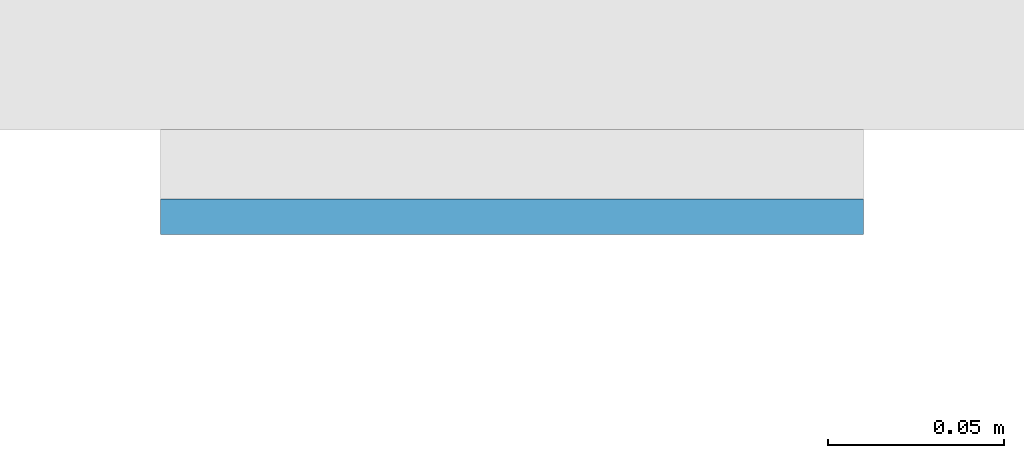
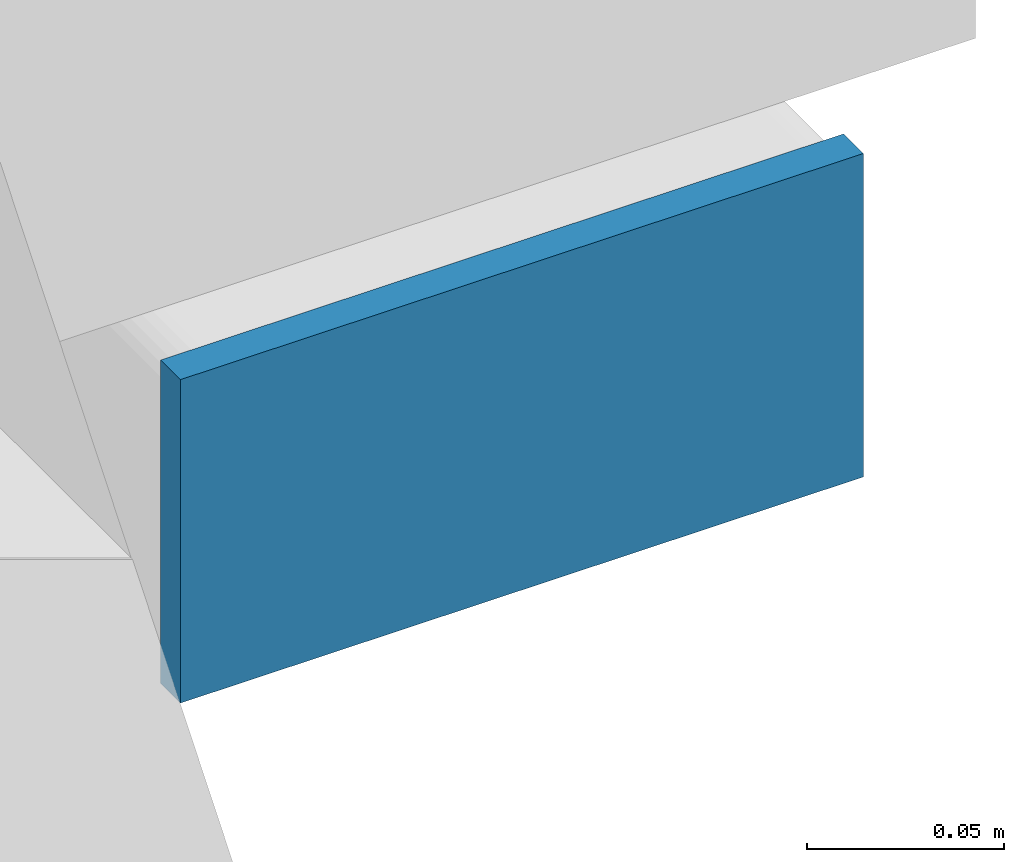
# One storey, part 10 of 20: 1 plate.
"""IFC4 building model written with IfcOpenShell, lengths in metres."""

from ifc_helpers import new_model, si_unit, direction, frame, origin, origin_2d, place, context, subcontext, project, spatial, rectangle, extrude, material, layer, layer_set, type_object, element, save


model = new_model("IFC4")

# Units and contexts
model_context = context("Model", 3, precision=1e-05, world=origin(), true_north=direction((0.0, 1.0)))
body_context = subcontext(model_context, "Body", "Model", "MODEL_VIEW")
ifc_project = project(units=[si_unit("LENGTHUNIT", "METRE"), si_unit("AREAUNIT", "SQUARE_METRE"), si_unit("VOLUMEUNIT", "CUBIC_METRE"), si_unit("PLANEANGLEUNIT", "RADIAN"), si_unit("MASSUNIT", "GRAM", prefix="KILO")], contexts=[model_context])

# Site, building, storey
site_placement = place(None, origin())
site = spatial("IfcSite", under=ifc_project, at=site_placement, CompositionType="ELEMENT")
building_placement = place(site_placement, origin())
building = spatial("IfcBuilding", under=site, at=building_placement, Name="Cleftline Residences", CompositionType="ELEMENT")
storey_placement = place(building_placement, frame((0.0, 0.0, 211.0)))
storey = spatial("IfcBuildingStorey", under=building, at=storey_placement, Name="L55", CompositionType="ELEMENT", Elevation=211.0)

# Plate
ifc_material = material(Name="Steel S355, hot-dip galvanised", Category="steel")
ifc_layer = layer(ifc_material, 0.010009765625)
ifc_layer_set = layer_set([ifc_layer], Name="BAGUETTE CARRIER END PLATE 200X100X10")
plate_type = type_object("IfcPlateType", Name="BAGUETTE CARRIER END PLATE 200X100X10", PredefinedType="USERDEFINED", material=ifc_layer_set)
plate_placement = place(storey_placement, frame((66.85009765625, 3.695068359375, -0.10009765625), z_axis=(0.0, 0.0, 1.0), x_axis=(1.0, 0.0, 0.0)))
element("IfcPlate", 1, at=plate_placement, inside=storey, type_object=plate_type, Name="Baguette carrier end plate", ObjectType="BAGUETTE CARRIER END PLATE", PredefinedType="USERDEFINED", context=body_context, shape_type="SweptSolid", body=[
    extrude(rectangle(XDim=0.199951171875, YDim=0.010009765625, at=origin_2d()), origin(), (0.0, 0.0, 1.0), 0.10009765625),
])

save(model, "model.ifc")
